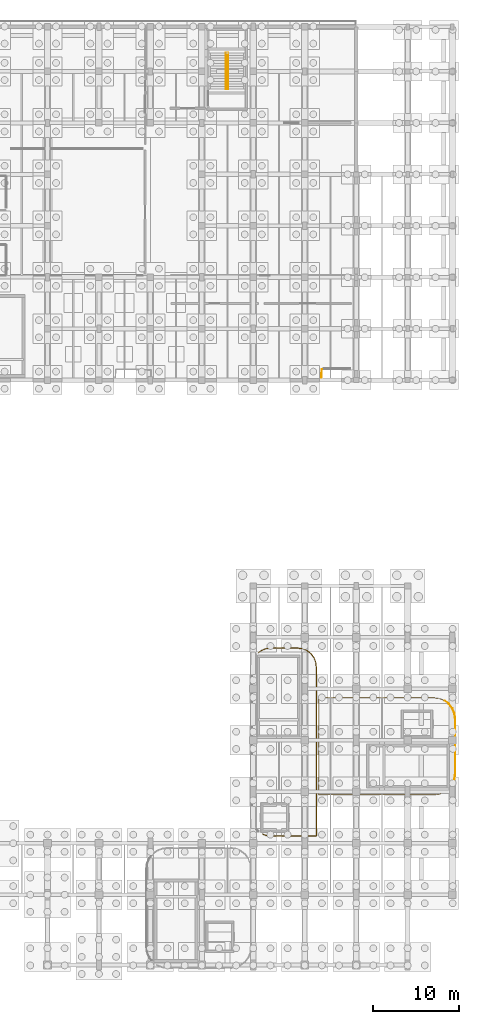
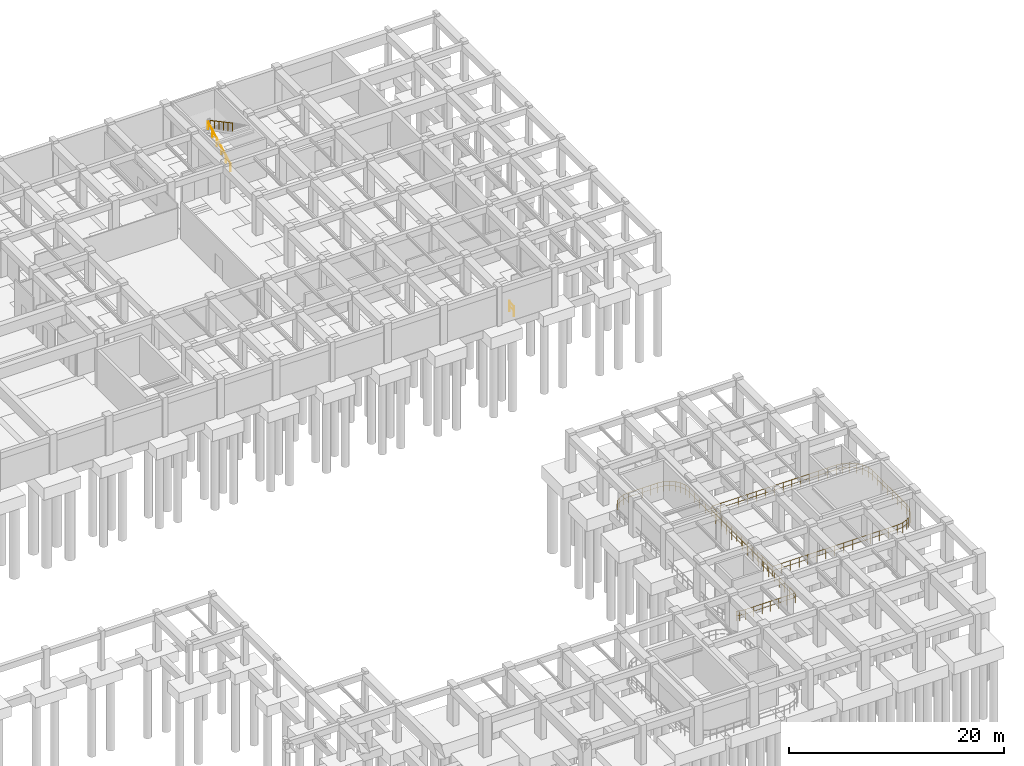
# One storey, part 30 of 32: 6 railings.
"""IFC4 building model written with IfcOpenShell, lengths in metres."""

from ifc_helpers import new_model, si_unit, direction, frame, origin, origin_2d, place, context, subcontext, project, spatial, circle, extrude, material, type_object, element, save


model = new_model("IFC4")

# Units and contexts
model_context = context("Model", 3, precision=1e-05, world=origin(), true_north=direction((0.0, 1.0)))
body_context = subcontext(model_context, "Body", "Model", "MODEL_VIEW")
ifc_project = project(units=[si_unit("LENGTHUNIT", "METRE"), si_unit("AREAUNIT", "SQUARE_METRE"), si_unit("VOLUMEUNIT", "CUBIC_METRE"), si_unit("PLANEANGLEUNIT", "RADIAN"), si_unit("MASSUNIT", "GRAM", prefix="KILO")], contexts=[model_context])

# Site, building, storey
site_placement = place(None, origin())
site = spatial("IfcSite", under=ifc_project, at=site_placement, CompositionType="ELEMENT")
building_placement = place(site_placement, origin())
building = spatial("IfcBuilding", under=site, at=building_placement, Name="Varnakota Square Police Headquarters", CompositionType="ELEMENT")
storey_placement = place(building_placement, frame((0.0, 0.0, -4.5)))
storey = spatial("IfcBuildingStorey", under=building, at=storey_placement, Name="B1", CompositionType="ELEMENT", Elevation=-4.5)

# Railings
ifc_material_1 = material(Name="Galvanised Powder-Coated Steel Guardrail", Category="steel")
railing_type_1 = type_object("IfcRailingType", Name="RL-BAL-1150", PredefinedType="BALUSTRADE", material=ifc_material_1)
railing_1_placement = place(storey_placement, frame((160.32470703125, 31.621337890625, 0.0)))
element("IfcRailing", 1, at=railing_1_placement, inside=storey, type_object=railing_type_1, Name="Perimeter edge safety guard GD-AUTO-B1-001", PredefinedType="BALUSTRADE", context=body_context, shape_type="SweptSolid", body=[
    extrude(circle(Radius=0.02392578125, at=origin_2d()), frame((0.0, 0.0, 1.1259765625), z_axis=(0.793446547056, -0.60863994033, 0.0), x_axis=(0.60863994033, 0.793446547056, 0.0)), (0.0, 0.0, 1.0), 0.639404296875),
    extrude(circle(Radius=0.01806640625, at=origin_2d()), frame((0.0, 0.0, 0.63232421875), z_axis=(0.793446547056, -0.60863994033, 0.0), x_axis=(0.60863994033, 0.793446547056, 0.0)), (0.0, 0.0, 1.0), 0.639404296875),
    extrude(circle(Radius=0.02392578125, at=origin_2d()), frame((0.50732421875, -0.38916015625, 1.1259765625), z_axis=(0.608880241612, -0.793262158038, 0.0), x_axis=(0.793262158038, 0.608880241612, 0.0)), (0.0, 0.0, 1.0), 0.6396484375),
    extrude(circle(Radius=0.01806640625, at=origin_2d()), frame((0.50732421875, -0.38916015625, 0.63232421875), z_axis=(0.608880241612, -0.793262158038, 0.0), x_axis=(0.793262158038, 0.608880241612, 0.0)), (0.0, 0.0, 1.0), 0.6396484375),
    extrude(circle(Radius=0.02392578125, at=origin_2d()), frame((0.896728515625, -0.896484375, 1.1259765625), z_axis=(0.382419211126, -0.923988932272, 0.0), x_axis=(0.923988932272, 0.382419211126, 0.0)), (0.0, 0.0, 1.0), 0.6396484375),
    extrude(circle(Radius=0.01806640625, at=origin_2d()), frame((0.896728515625, -0.896484375, 0.63232421875), z_axis=(0.382419211126, -0.923988932272, 0.0), x_axis=(0.923988932272, 0.382419211126, 0.0)), (0.0, 0.0, 1.0), 0.6396484375),
    extrude(circle(Radius=0.02392578125, at=origin_2d()), frame((1.141357421875, -1.487548828125, 1.1259765625), z_axis=(0.130670683841, -0.991425827979, 0.0), x_axis=(0.991425827979, 0.130670683841, 0.0)), (0.0, 0.0, 1.0), 0.642822265625),
    extrude(circle(Radius=0.01806640625, at=origin_2d()), frame((1.141357421875, -1.487548828125, 0.63232421875), z_axis=(0.130670683841, -0.991425827979, 0.0), x_axis=(0.991425827979, 0.130670683841, 0.0)), (0.0, 0.0, 1.0), 0.642822265625),
    extrude(circle(Radius=0.02392578125, at=origin_2d()), frame((1.225341796875, -2.124755859375, 1.1259765625), z_axis=(0.0, -1.0, 0.0), x_axis=(1.0, 0.0, 0.0)), (0.0, 0.0, 1.0), 6.393310546875),
    extrude(circle(Radius=0.01806640625, at=origin_2d()), frame((1.225341796875, -2.124755859375, 0.63232421875), z_axis=(0.0, -1.0, 0.0), x_axis=(1.0, 0.0, 0.0)), (0.0, 0.0, 1.0), 6.393310546875),
    extrude(circle(Radius=0.02392578125, at=origin_2d()), frame((1.225341796875, -8.51806640625, 1.1259765625), z_axis=(-0.130670683841, -0.991425827979, 0.0), x_axis=(0.991425827979, -0.130670683841, 0.0)), (0.0, 0.0, 1.0), 0.642822265625),
    extrude(circle(Radius=0.01806640625, at=origin_2d()), frame((1.225341796875, -8.51806640625, 0.63232421875), z_axis=(-0.130670683841, -0.991425827979, 0.0), x_axis=(0.991425827979, -0.130670683841, 0.0)), (0.0, 0.0, 1.0), 0.642822265625),
    extrude(circle(Radius=0.02392578125, at=origin_2d()), frame((1.141357421875, -9.1552734375, 1.1259765625), z_axis=(-0.422378164684, -0.906419707419, 0.0), x_axis=(0.906419707419, -0.422378164684, 0.0)), (0.0, 0.0, 1.0), 0.76416015625),
    extrude(circle(Radius=0.01806640625, at=origin_2d()), frame((1.141357421875, -9.1552734375, 0.63232421875), z_axis=(-0.422378164684, -0.906419707419, 0.0), x_axis=(0.906419707419, -0.422378164684, 0.0)), (0.0, 0.0, 1.0), 0.76416015625),
    extrude(circle(Radius=0.02099609375, at=origin_2d()), origin(), (0.0, 0.0, 1.0), 1.101806640625),
    extrude(circle(Radius=0.02099609375, at=origin_2d()), frame((0.50732421875, -0.38916015625, 0.0)), (0.0, 0.0, 1.0), 1.101806640625),
    extrude(circle(Radius=0.02099609375, at=origin_2d()), frame((0.896728515625, -0.896484375, 0.0)), (0.0, 0.0, 1.0), 1.101806640625),
    extrude(circle(Radius=0.02099609375, at=origin_2d()), frame((1.141357421875, -1.487548828125, 0.0)), (0.0, 0.0, 1.0), 1.101806640625),
    extrude(circle(Radius=0.02099609375, at=origin_2d()), frame((1.225341796875, -2.124755859375, 0.0)), (0.0, 0.0, 1.0), 1.101806640625),
    extrude(circle(Radius=0.02099609375, at=origin_2d()), frame((1.225341796875, -3.0380859375, 0.0)), (0.0, 0.0, 1.0), 1.101806640625),
    extrude(circle(Radius=0.02099609375, at=origin_2d()), frame((1.225341796875, -3.951416015625, 0.0)), (0.0, 0.0, 1.0), 1.101806640625),
    extrude(circle(Radius=0.02099609375, at=origin_2d()), frame((1.225341796875, -4.86474609375, 0.0)), (0.0, 0.0, 1.0), 1.101806640625),
    extrude(circle(Radius=0.02099609375, at=origin_2d()), frame((1.225341796875, -5.778076171875, 0.0)), (0.0, 0.0, 1.0), 1.101806640625),
    extrude(circle(Radius=0.02099609375, at=origin_2d()), frame((1.225341796875, -6.69140625, 0.0)), (0.0, 0.0, 1.0), 1.101806640625),
    extrude(circle(Radius=0.02099609375, at=origin_2d()), frame((1.225341796875, -7.604736328125, 0.0)), (0.0, 0.0, 1.0), 1.101806640625),
    extrude(circle(Radius=0.02099609375, at=origin_2d()), frame((1.225341796875, -8.51806640625, 0.0)), (0.0, 0.0, 1.0), 1.101806640625),
    extrude(circle(Radius=0.02099609375, at=origin_2d()), frame((1.141357421875, -9.1552734375, 0.0)), (0.0, 0.0, 1.0), 1.101806640625),
    extrude(circle(Radius=0.02099609375, at=origin_2d()), frame((0.818603515625, -9.847900390625, 0.0)), (0.0, 0.0, 1.0), 1.101806640625),
])
railing_2_placement = place(storey_placement, frame((160.601318359375, 21.190673828125, 0.0)))
element("IfcRailing", 2, at=railing_2_placement, inside=storey, type_object=railing_type_1, Name="Perimeter edge safety guard GD-AUTO-B1-002", PredefinedType="BALUSTRADE", context=body_context, shape_type="SweptSolid", body=[
    extrude(circle(Radius=0.02392578125, at=origin_2d()), frame((0.0, 0.0, 1.1259765625), z_axis=(-0.793482352244, -0.608593260459, 0.0), x_axis=(0.608593260459, -0.793482352244, 0.0)), (0.0, 0.0, 1.0), 0.3486328125),
    extrude(circle(Radius=0.01806640625, at=origin_2d()), frame((0.0, 0.0, 0.63232421875), z_axis=(-0.793482352244, -0.608593260459, 0.0), x_axis=(0.608593260459, -0.793482352244, 0.0)), (0.0, 0.0, 1.0), 0.3486328125),
    extrude(circle(Radius=0.02392578125, at=origin_2d()), frame((-0.276611328125, -0.212158203125, 1.1259765625), z_axis=(-0.923933087676, -0.382554113162, 0.0), x_axis=(0.382554113162, -0.923933087676, 0.0)), (0.0, 0.0, 1.0), 0.639404296875),
    extrude(circle(Radius=0.01806640625, at=origin_2d()), frame((-0.276611328125, -0.212158203125, 0.63232421875), z_axis=(-0.923933087676, -0.382554113162, 0.0), x_axis=(0.382554113162, -0.923933087676, 0.0)), (0.0, 0.0, 1.0), 0.639404296875),
    extrude(circle(Radius=0.02392578125, at=origin_2d()), frame((-0.867431640625, -0.456787109375, 1.1259765625), z_axis=(-0.991425827979, -0.130670683841, 0.0), x_axis=(0.130670683841, -0.991425827979, 0.0)), (0.0, 0.0, 1.0), 0.642822265625),
    extrude(circle(Radius=0.01806640625, at=origin_2d()), frame((-0.867431640625, -0.456787109375, 0.63232421875), z_axis=(-0.991425827979, -0.130670683841, 0.0), x_axis=(0.130670683841, -0.991425827979, 0.0)), (0.0, 0.0, 1.0), 0.642822265625),
    extrude(circle(Radius=0.02392578125, at=origin_2d()), frame((-1.504638671875, -0.540771484375, 1.1259765625), z_axis=(-1.0, 0.0, 0.0), x_axis=(0.0, -1.0, 0.0)), (0.0, 0.0, 1.0), 13.44677734375),
    extrude(circle(Radius=0.01806640625, at=origin_2d()), frame((-1.504638671875, -0.540771484375, 0.63232421875), z_axis=(-1.0, 0.0, 0.0), x_axis=(0.0, -1.0, 0.0)), (0.0, 0.0, 1.0), 13.44677734375),
    extrude(circle(Radius=0.02392578125, at=origin_2d()), frame((-14.951416015625, -0.540771484375, 1.1259765625), z_axis=(0.0, 1.0, 0.0), x_axis=(-1.0, 0.0, 0.0)), (0.0, 0.0, 1.0), 11.300048828125),
    extrude(circle(Radius=0.01806640625, at=origin_2d()), frame((-14.951416015625, -0.540771484375, 0.63232421875), z_axis=(0.0, 1.0, 0.0), x_axis=(-1.0, 0.0, 0.0)), (0.0, 0.0, 1.0), 11.300048828125),
    extrude(circle(Radius=0.02392578125, at=origin_2d()), frame((-14.951416015625, 10.75927734375, 1.1259765625), z_axis=(1.0, 0.0, 0.0), x_axis=(0.0, 1.0, 0.0)), (0.0, 0.0, 1.0), 13.44677734375),
    extrude(circle(Radius=0.01806640625, at=origin_2d()), frame((-14.951416015625, 10.75927734375, 0.63232421875), z_axis=(1.0, 0.0, 0.0), x_axis=(0.0, 1.0, 0.0)), (0.0, 0.0, 1.0), 13.44677734375),
    extrude(circle(Radius=0.02392578125, at=origin_2d()), frame((-1.504638671875, 10.75927734375, 1.1259765625), z_axis=(0.991474970644, -0.130297285414, 0.0), x_axis=(0.130297285414, 0.991474970644, 0.0)), (0.0, 0.0, 1.0), 0.642578125),
    extrude(circle(Radius=0.01806640625, at=origin_2d()), frame((-1.504638671875, 10.75927734375, 0.63232421875), z_axis=(0.991474970644, -0.130297285414, 0.0), x_axis=(0.130297285414, 0.991474970644, 0.0)), (0.0, 0.0, 1.0), 0.642578125),
    extrude(circle(Radius=0.02392578125, at=origin_2d()), frame((-0.867431640625, 10.675537109375, 1.1259765625), z_axis=(0.92379810438, -0.382879958138, 0.0), x_axis=(0.382879958138, 0.92379810438, 0.0)), (0.0, 0.0, 1.0), 0.6396484375),
    extrude(circle(Radius=0.01806640625, at=origin_2d()), frame((-0.867431640625, 10.675537109375, 0.63232421875), z_axis=(0.92379810438, -0.382879958138, 0.0), x_axis=(0.382879958138, 0.92379810438, 0.0)), (0.0, 0.0, 1.0), 0.6396484375),
    extrude(circle(Radius=0.02099609375, at=origin_2d()), origin(), (0.0, 0.0, 1.0), 1.101806640625),
    extrude(circle(Radius=0.02099609375, at=origin_2d()), frame((-0.276611328125, -0.212158203125, 0.0)), (0.0, 0.0, 1.0), 1.101806640625),
    extrude(circle(Radius=0.02099609375, at=origin_2d()), frame((-0.867431640625, -0.456787109375, 0.0)), (0.0, 0.0, 1.0), 1.101806640625),
    extrude(circle(Radius=0.02099609375, at=origin_2d()), frame((-1.504638671875, -0.540771484375, 0.0)), (0.0, 0.0, 1.0), 1.101806640625),
    extrude(circle(Radius=0.02099609375, at=origin_2d()), frame((-2.465087890625, -0.540771484375, 0.0)), (0.0, 0.0, 1.0), 1.101806640625),
    extrude(circle(Radius=0.02099609375, at=origin_2d()), frame((-3.425537109375, -0.540771484375, 0.0)), (0.0, 0.0, 1.0), 1.101806640625),
    extrude(circle(Radius=0.02099609375, at=origin_2d()), frame((-4.385986328125, -0.540771484375, 0.0)), (0.0, 0.0, 1.0), 1.101806640625),
    extrude(circle(Radius=0.02099609375, at=origin_2d()), frame((-5.3466796875, -0.540771484375, 0.0)), (0.0, 0.0, 1.0), 1.101806640625),
    extrude(circle(Radius=0.02099609375, at=origin_2d()), frame((-6.30712890625, -0.540771484375, 0.0)), (0.0, 0.0, 1.0), 1.101806640625),
    extrude(circle(Radius=0.02099609375, at=origin_2d()), frame((-7.267578125, -0.540771484375, 0.0)), (0.0, 0.0, 1.0), 1.101806640625),
    extrude(circle(Radius=0.02099609375, at=origin_2d()), frame((-8.22802734375, -0.540771484375, 0.0)), (0.0, 0.0, 1.0), 1.101806640625),
    extrude(circle(Radius=0.02099609375, at=origin_2d()), frame((-9.1884765625, -0.540771484375, 0.0)), (0.0, 0.0, 1.0), 1.101806640625),
    extrude(circle(Radius=0.02099609375, at=origin_2d()), frame((-10.14892578125, -0.540771484375, 0.0)), (0.0, 0.0, 1.0), 1.101806640625),
    extrude(circle(Radius=0.02099609375, at=origin_2d()), frame((-11.109375, -0.540771484375, 0.0)), (0.0, 0.0, 1.0), 1.101806640625),
    extrude(circle(Radius=0.02099609375, at=origin_2d()), frame((-12.070068359375, -0.540771484375, 0.0)), (0.0, 0.0, 1.0), 1.101806640625),
    extrude(circle(Radius=0.02099609375, at=origin_2d()), frame((-13.030517578125, -0.540771484375, 0.0)), (0.0, 0.0, 1.0), 1.101806640625),
    extrude(circle(Radius=0.02099609375, at=origin_2d()), frame((-13.990966796875, -0.540771484375, 0.0)), (0.0, 0.0, 1.0), 1.101806640625),
    extrude(circle(Radius=0.02099609375, at=origin_2d()), frame((-14.951416015625, -0.540771484375, 0.0)), (0.0, 0.0, 1.0), 1.101806640625),
    extrude(circle(Radius=0.02099609375, at=origin_2d()), frame((-14.951416015625, 0.40087890625, 0.0)), (0.0, 0.0, 1.0), 1.101806640625),
    extrude(circle(Radius=0.02099609375, at=origin_2d()), frame((-14.951416015625, 1.342529296875, 0.0)), (0.0, 0.0, 1.0), 1.101806640625),
    extrude(circle(Radius=0.02099609375, at=origin_2d()), frame((-14.951416015625, 2.2841796875, 0.0)), (0.0, 0.0, 1.0), 1.101806640625),
    extrude(circle(Radius=0.02099609375, at=origin_2d()), frame((-14.951416015625, 3.225830078125, 0.0)), (0.0, 0.0, 1.0), 1.101806640625),
    extrude(circle(Radius=0.02099609375, at=origin_2d()), frame((-14.951416015625, 4.16748046875, 0.0)), (0.0, 0.0, 1.0), 1.101806640625),
    extrude(circle(Radius=0.02099609375, at=origin_2d()), frame((-14.951416015625, 5.109375, 0.0)), (0.0, 0.0, 1.0), 1.101806640625),
    extrude(circle(Radius=0.02099609375, at=origin_2d()), frame((-14.951416015625, 6.051025390625, 0.0)), (0.0, 0.0, 1.0), 1.101806640625),
    extrude(circle(Radius=0.02099609375, at=origin_2d()), frame((-14.951416015625, 6.99267578125, 0.0)), (0.0, 0.0, 1.0), 1.101806640625),
    extrude(circle(Radius=0.02099609375, at=origin_2d()), frame((-14.951416015625, 7.934326171875, 0.0)), (0.0, 0.0, 1.0), 1.101806640625),
    extrude(circle(Radius=0.02099609375, at=origin_2d()), frame((-14.951416015625, 8.8759765625, 0.0)), (0.0, 0.0, 1.0), 1.101806640625),
    extrude(circle(Radius=0.02099609375, at=origin_2d()), frame((-14.951416015625, 9.817626953125, 0.0)), (0.0, 0.0, 1.0), 1.101806640625),
    extrude(circle(Radius=0.02099609375, at=origin_2d()), frame((-14.951416015625, 10.75927734375, 0.0)), (0.0, 0.0, 1.0), 1.101806640625),
    extrude(circle(Radius=0.02099609375, at=origin_2d()), frame((-13.990966796875, 10.75927734375, 0.0)), (0.0, 0.0, 1.0), 1.101806640625),
    extrude(circle(Radius=0.02099609375, at=origin_2d()), frame((-13.030517578125, 10.75927734375, 0.0)), (0.0, 0.0, 1.0), 1.101806640625),
    extrude(circle(Radius=0.02099609375, at=origin_2d()), frame((-12.070068359375, 10.75927734375, 0.0)), (0.0, 0.0, 1.0), 1.101806640625),
    extrude(circle(Radius=0.02099609375, at=origin_2d()), frame((-11.109375, 10.75927734375, 0.0)), (0.0, 0.0, 1.0), 1.101806640625),
    extrude(circle(Radius=0.02099609375, at=origin_2d()), frame((-10.14892578125, 10.75927734375, 0.0)), (0.0, 0.0, 1.0), 1.101806640625),
    extrude(circle(Radius=0.02099609375, at=origin_2d()), frame((-9.1884765625, 10.75927734375, 0.0)), (0.0, 0.0, 1.0), 1.101806640625),
    extrude(circle(Radius=0.02099609375, at=origin_2d()), frame((-8.22802734375, 10.75927734375, 0.0)), (0.0, 0.0, 1.0), 1.101806640625),
    extrude(circle(Radius=0.02099609375, at=origin_2d()), frame((-7.267578125, 10.75927734375, 0.0)), (0.0, 0.0, 1.0), 1.101806640625),
    extrude(circle(Radius=0.02099609375, at=origin_2d()), frame((-6.30712890625, 10.75927734375, 0.0)), (0.0, 0.0, 1.0), 1.101806640625),
    extrude(circle(Radius=0.02099609375, at=origin_2d()), frame((-5.3466796875, 10.75927734375, 0.0)), (0.0, 0.0, 1.0), 1.101806640625),
    extrude(circle(Radius=0.02099609375, at=origin_2d()), frame((-4.385986328125, 10.75927734375, 0.0)), (0.0, 0.0, 1.0), 1.101806640625),
    extrude(circle(Radius=0.02099609375, at=origin_2d()), frame((-3.425537109375, 10.75927734375, 0.0)), (0.0, 0.0, 1.0), 1.101806640625),
    extrude(circle(Radius=0.02099609375, at=origin_2d()), frame((-2.465087890625, 10.75927734375, 0.0)), (0.0, 0.0, 1.0), 1.101806640625),
    extrude(circle(Radius=0.02099609375, at=origin_2d()), frame((-1.504638671875, 10.75927734375, 0.0)), (0.0, 0.0, 1.0), 1.101806640625),
    extrude(circle(Radius=0.02099609375, at=origin_2d()), frame((-0.867431640625, 10.675537109375, 0.0)), (0.0, 0.0, 1.0), 1.101806640625),
    extrude(circle(Radius=0.02099609375, at=origin_2d()), frame((-0.276611328125, 10.4306640625, 0.0)), (0.0, 0.0, 1.0), 1.101806640625),
])
railing_3_placement = place(storey_placement, frame((145.994384765625, 70.249755859375, 0.0)))
element("IfcRailing", 3, at=railing_3_placement, inside=storey, type_object=railing_type_1, Name="Perimeter edge safety guard GD-AUTO-B1-004", PredefinedType="BALUSTRADE", context=body_context, shape_type="SweptSolid", body=[
    extrude(circle(Radius=0.02392578125, at=origin_2d()), frame((0.0, 0.0, 1.1259765625), z_axis=(-0.048258017619, -0.998834903142, 0.0), x_axis=(0.998834903142, -0.048258017619, 0.0)), (0.0, 0.0, 1.0), 0.920654296875),
    extrude(circle(Radius=0.01806640625, at=origin_2d()), frame((0.0, 0.0, 0.63232421875), z_axis=(-0.048258017619, -0.998834903142, 0.0), x_axis=(0.998834903142, -0.048258017619, 0.0)), (0.0, 0.0, 1.0), 0.920654296875),
    extrude(circle(Radius=0.02099609375, at=origin_2d()), origin(), (0.0, 0.0, 1.0), 1.101806640625),
    extrude(circle(Radius=0.02099609375, at=origin_2d()), frame((-0.04443359375, -0.919677734375, 0.0)), (0.0, 0.0, 1.0), 1.101806640625),
])
railing_4_placement = place(storey_placement, frame((138.59716796875, 37.2099609375, 0.0)))
element("IfcRailing", 4, at=railing_4_placement, inside=storey, type_object=railing_type_1, Name="Perimeter edge safety guard GD-AUTO-B1-013", PredefinedType="BALUSTRADE", context=body_context, shape_type="SweptSolid", body=[
    extrude(circle(Radius=0.02392578125, at=origin_2d()), frame((0.0, 0.0, 1.1259765625), z_axis=(0.793435296761, 0.608654606369, 0.0), x_axis=(-0.608654606369, 0.793435296761, 0.0)), (0.0, 0.0, 1.0), 0.41357421875),
    extrude(circle(Radius=0.01806640625, at=origin_2d()), frame((0.0, 0.0, 0.63232421875), z_axis=(0.793435296761, 0.608654606369, 0.0), x_axis=(-0.608654606369, 0.793435296761, 0.0)), (0.0, 0.0, 1.0), 0.41357421875),
    extrude(circle(Radius=0.02392578125, at=origin_2d()), frame((0.328125, 0.251708984375, 1.1259765625), z_axis=(0.923937282838, 0.382543980977, 0.0), x_axis=(-0.382543980977, 0.923937282838, 0.0)), (0.0, 0.0, 1.0), 0.56103515625),
    extrude(circle(Radius=0.01806640625, at=origin_2d()), frame((0.328125, 0.251708984375, 0.63232421875), z_axis=(0.923937282838, 0.382543980977, 0.0), x_axis=(-0.382543980977, 0.923937282838, 0.0)), (0.0, 0.0, 1.0), 0.56103515625),
    extrude(circle(Radius=0.02392578125, at=origin_2d()), frame((0.846435546875, 0.46630859375, 1.1259765625), z_axis=(0.991438099564, 0.130577542987, 0.0), x_axis=(-0.130577542987, 0.991438099564, 0.0)), (0.0, 0.0, 1.0), 0.564697265625),
    extrude(circle(Radius=0.01806640625, at=origin_2d()), frame((0.846435546875, 0.46630859375, 0.63232421875), z_axis=(0.991438099564, 0.130577542987, 0.0), x_axis=(-0.130577542987, 0.991438099564, 0.0)), (0.0, 0.0, 1.0), 0.564697265625),
    extrude(circle(Radius=0.02392578125, at=origin_2d()), frame((1.40625, 0.5400390625, 1.1259765625), z_axis=(1.0, 0.0, 0.0), x_axis=(0.0, 1.0, 0.0)), (0.0, 0.0, 1.0), 3.193359375),
    extrude(circle(Radius=0.01806640625, at=origin_2d()), frame((1.40625, 0.5400390625, 0.63232421875), z_axis=(1.0, 0.0, 0.0), x_axis=(0.0, 1.0, 0.0)), (0.0, 0.0, 1.0), 3.193359375),
    extrude(circle(Radius=0.02392578125, at=origin_2d()), frame((4.599609375, 0.5400390625, 1.1259765625), z_axis=(0.991430722597, -0.130633541983, 0.0), x_axis=(0.130633541983, 0.991430722597, 0.0)), (0.0, 0.0, 1.0), 0.564453125),
    extrude(circle(Radius=0.01806640625, at=origin_2d()), frame((4.599609375, 0.5400390625, 0.63232421875), z_axis=(0.991430722597, -0.130633541983, 0.0), x_axis=(0.130633541983, 0.991430722597, 0.0)), (0.0, 0.0, 1.0), 0.564453125),
    extrude(circle(Radius=0.02392578125, at=origin_2d()), frame((5.1591796875, 0.46630859375, 1.1259765625), z_axis=(0.924000932097, -0.382390216249, 0.0), x_axis=(0.382390216249, 0.924000932097, 0.0)), (0.0, 0.0, 1.0), 0.561279296875),
    extrude(circle(Radius=0.01806640625, at=origin_2d()), frame((5.1591796875, 0.46630859375, 0.63232421875), z_axis=(0.924000932097, -0.382390216249, 0.0), x_axis=(0.382390216249, 0.924000932097, 0.0)), (0.0, 0.0, 1.0), 0.561279296875),
    extrude(circle(Radius=0.02392578125, at=origin_2d()), frame((5.677734375, 0.251708984375, 1.1259765625), z_axis=(0.793108931829, -0.609079815996, 0.0), x_axis=(0.609079815996, 0.793108931829, 0.0)), (0.0, 0.0, 1.0), 0.561279296875),
    extrude(circle(Radius=0.01806640625, at=origin_2d()), frame((5.677734375, 0.251708984375, 0.63232421875), z_axis=(0.793108931829, -0.609079815996, 0.0), x_axis=(0.609079815996, 0.793108931829, 0.0)), (0.0, 0.0, 1.0), 0.561279296875),
    extrude(circle(Radius=0.02392578125, at=origin_2d()), frame((6.122802734375, -0.090087890625, 1.1259765625), z_axis=(0.608806046865, -0.793319101812, 0.0), x_axis=(0.793319101812, 0.608806046865, 0.0)), (0.0, 0.0, 1.0), 0.56103515625),
    extrude(circle(Radius=0.01806640625, at=origin_2d()), frame((6.122802734375, -0.090087890625, 0.63232421875), z_axis=(0.608806046865, -0.793319101812, 0.0), x_axis=(0.793319101812, 0.608806046865, 0.0)), (0.0, 0.0, 1.0), 0.56103515625),
    extrude(circle(Radius=0.02392578125, at=origin_2d()), frame((6.46435546875, -0.53515625, 1.1259765625), z_axis=(0.382761541363, -0.923847174836, 0.0), x_axis=(0.923847174836, 0.382761541363, 0.0)), (0.0, 0.0, 1.0), 0.561279296875),
    extrude(circle(Radius=0.01806640625, at=origin_2d()), frame((6.46435546875, -0.53515625, 0.63232421875), z_axis=(0.382761541363, -0.923847174836, 0.0), x_axis=(0.923847174836, 0.382761541363, 0.0)), (0.0, 0.0, 1.0), 0.561279296875),
    extrude(circle(Radius=0.02392578125, at=origin_2d()), frame((6.67919921875, -1.0537109375, 1.1259765625), z_axis=(0.130633541983, -0.991430722597, 0.0), x_axis=(0.991430722597, 0.130633541983, 0.0)), (0.0, 0.0, 1.0), 0.564453125),
    extrude(circle(Radius=0.01806640625, at=origin_2d()), frame((6.67919921875, -1.0537109375, 0.63232421875), z_axis=(0.130633541983, -0.991430722597, 0.0), x_axis=(0.991430722597, 0.130633541983, 0.0)), (0.0, 0.0, 1.0), 0.564453125),
    extrude(circle(Radius=0.02392578125, at=origin_2d()), frame((6.7529296875, -1.61328125, 1.1259765625), z_axis=(0.0, -1.0, 0.0), x_axis=(1.0, 0.0, 0.0)), (0.0, 0.0, 1.0), 19.74658203125),
    extrude(circle(Radius=0.01806640625, at=origin_2d()), frame((6.7529296875, -1.61328125, 0.63232421875), z_axis=(0.0, -1.0, 0.0), x_axis=(1.0, 0.0, 0.0)), (0.0, 0.0, 1.0), 19.74658203125),
    extrude(circle(Radius=0.02392578125, at=origin_2d()), frame((6.7529296875, -21.35986328125, 1.1259765625), z_axis=(-1.0, 0.0, 0.0), x_axis=(0.0, -1.0, 0.0)), (0.0, 0.0, 1.0), 5.3466796875),
    extrude(circle(Radius=0.01806640625, at=origin_2d()), frame((6.7529296875, -21.35986328125, 0.63232421875), z_axis=(-1.0, 0.0, 0.0), x_axis=(0.0, -1.0, 0.0)), (0.0, 0.0, 1.0), 5.3466796875),
    extrude(circle(Radius=0.02392578125, at=origin_2d()), frame((1.40625, -21.35986328125, 1.1259765625), z_axis=(-0.991493986814, 0.130152503284, 0.0), x_axis=(-0.130152503284, -0.991493986814, 0.0)), (0.0, 0.0, 1.0), 0.564697265625),
    extrude(circle(Radius=0.01806640625, at=origin_2d()), frame((1.40625, -21.35986328125, 0.63232421875), z_axis=(-0.991493986814, 0.130152503284, 0.0), x_axis=(-0.130152503284, -0.991493986814, 0.0)), (0.0, 0.0, 1.0), 0.564697265625),
    extrude(circle(Radius=0.02392578125, at=origin_2d()), frame((0.846435546875, -21.286376953125, 1.1259765625), z_axis=(-0.923638725043, 0.383264276448, 0.0), x_axis=(-0.383264276448, -0.923638725043, 0.0)), (0.0, 0.0, 1.0), 0.346435546875),
    extrude(circle(Radius=0.01806640625, at=origin_2d()), frame((0.846435546875, -21.286376953125, 0.63232421875), z_axis=(-0.923638725043, 0.383264276448, 0.0), x_axis=(-0.383264276448, -0.923638725043, 0.0)), (0.0, 0.0, 1.0), 0.346435546875),
    extrude(circle(Radius=0.02099609375, at=origin_2d()), origin(), (0.0, 0.0, 1.0), 1.101806640625),
    extrude(circle(Radius=0.02099609375, at=origin_2d()), frame((0.328125, 0.251708984375, 0.0)), (0.0, 0.0, 1.0), 1.101806640625),
    extrude(circle(Radius=0.02099609375, at=origin_2d()), frame((0.846435546875, 0.46630859375, 0.0)), (0.0, 0.0, 1.0), 1.101806640625),
    extrude(circle(Radius=0.02099609375, at=origin_2d()), frame((1.40625, 0.5400390625, 0.0)), (0.0, 0.0, 1.0), 1.101806640625),
    extrude(circle(Radius=0.02099609375, at=origin_2d()), frame((2.20458984375, 0.5400390625, 0.0)), (0.0, 0.0, 1.0), 1.101806640625),
    extrude(circle(Radius=0.02099609375, at=origin_2d()), frame((3.0029296875, 0.5400390625, 0.0)), (0.0, 0.0, 1.0), 1.101806640625),
    extrude(circle(Radius=0.02099609375, at=origin_2d()), frame((3.80126953125, 0.5400390625, 0.0)), (0.0, 0.0, 1.0), 1.101806640625),
    extrude(circle(Radius=0.02099609375, at=origin_2d()), frame((4.599609375, 0.5400390625, 0.0)), (0.0, 0.0, 1.0), 1.101806640625),
    extrude(circle(Radius=0.02099609375, at=origin_2d()), frame((5.1591796875, 0.46630859375, 0.0)), (0.0, 0.0, 1.0), 1.101806640625),
    extrude(circle(Radius=0.02099609375, at=origin_2d()), frame((5.677734375, 0.251708984375, 0.0)), (0.0, 0.0, 1.0), 1.101806640625),
    extrude(circle(Radius=0.02099609375, at=origin_2d()), frame((6.122802734375, -0.090087890625, 0.0)), (0.0, 0.0, 1.0), 1.101806640625),
    extrude(circle(Radius=0.02099609375, at=origin_2d()), frame((6.46435546875, -0.53515625, 0.0)), (0.0, 0.0, 1.0), 1.101806640625),
    extrude(circle(Radius=0.02099609375, at=origin_2d()), frame((6.67919921875, -1.0537109375, 0.0)), (0.0, 0.0, 1.0), 1.101806640625),
    extrude(circle(Radius=0.02099609375, at=origin_2d()), frame((6.7529296875, -1.61328125, 0.0)), (0.0, 0.0, 1.0), 1.101806640625),
    extrude(circle(Radius=0.02099609375, at=origin_2d()), frame((6.7529296875, -2.6005859375, 0.0)), (0.0, 0.0, 1.0), 1.101806640625),
    extrude(circle(Radius=0.02099609375, at=origin_2d()), frame((6.7529296875, -3.587890625, 0.0)), (0.0, 0.0, 1.0), 1.101806640625),
    extrude(circle(Radius=0.02099609375, at=origin_2d()), frame((6.7529296875, -4.5751953125, 0.0)), (0.0, 0.0, 1.0), 1.101806640625),
    extrude(circle(Radius=0.02099609375, at=origin_2d()), frame((6.7529296875, -5.5625, 0.0)), (0.0, 0.0, 1.0), 1.101806640625),
    extrude(circle(Radius=0.02099609375, at=origin_2d()), frame((6.7529296875, -6.5498046875, 0.0)), (0.0, 0.0, 1.0), 1.101806640625),
    extrude(circle(Radius=0.02099609375, at=origin_2d()), frame((6.7529296875, -7.537353515625, 0.0)), (0.0, 0.0, 1.0), 1.101806640625),
    extrude(circle(Radius=0.02099609375, at=origin_2d()), frame((6.7529296875, -8.524658203125, 0.0)), (0.0, 0.0, 1.0), 1.101806640625),
    extrude(circle(Radius=0.02099609375, at=origin_2d()), frame((6.7529296875, -9.511962890625, 0.0)), (0.0, 0.0, 1.0), 1.101806640625),
    extrude(circle(Radius=0.02099609375, at=origin_2d()), frame((6.7529296875, -10.499267578125, 0.0)), (0.0, 0.0, 1.0), 1.101806640625),
    extrude(circle(Radius=0.02099609375, at=origin_2d()), frame((6.7529296875, -11.486572265625, 0.0)), (0.0, 0.0, 1.0), 1.101806640625),
    extrude(circle(Radius=0.02099609375, at=origin_2d()), frame((6.7529296875, -12.473876953125, 0.0)), (0.0, 0.0, 1.0), 1.101806640625),
    extrude(circle(Radius=0.02099609375, at=origin_2d()), frame((6.7529296875, -13.461181640625, 0.0)), (0.0, 0.0, 1.0), 1.101806640625),
    extrude(circle(Radius=0.02099609375, at=origin_2d()), frame((6.7529296875, -14.448486328125, 0.0)), (0.0, 0.0, 1.0), 1.101806640625),
    extrude(circle(Radius=0.02099609375, at=origin_2d()), frame((6.7529296875, -15.435791015625, 0.0)), (0.0, 0.0, 1.0), 1.101806640625),
    extrude(circle(Radius=0.02099609375, at=origin_2d()), frame((6.7529296875, -16.42333984375, 0.0)), (0.0, 0.0, 1.0), 1.101806640625),
    extrude(circle(Radius=0.02099609375, at=origin_2d()), frame((6.7529296875, -17.41064453125, 0.0)), (0.0, 0.0, 1.0), 1.101806640625),
    extrude(circle(Radius=0.02099609375, at=origin_2d()), frame((6.7529296875, -18.39794921875, 0.0)), (0.0, 0.0, 1.0), 1.101806640625),
    extrude(circle(Radius=0.02099609375, at=origin_2d()), frame((6.7529296875, -19.38525390625, 0.0)), (0.0, 0.0, 1.0), 1.101806640625),
    extrude(circle(Radius=0.02099609375, at=origin_2d()), frame((6.7529296875, -20.37255859375, 0.0)), (0.0, 0.0, 1.0), 1.101806640625),
    extrude(circle(Radius=0.02099609375, at=origin_2d()), frame((6.7529296875, -21.35986328125, 0.0)), (0.0, 0.0, 1.0), 1.101806640625),
    extrude(circle(Radius=0.02099609375, at=origin_2d()), frame((5.86181640625, -21.35986328125, 0.0)), (0.0, 0.0, 1.0), 1.101806640625),
    extrude(circle(Radius=0.02099609375, at=origin_2d()), frame((4.970703125, -21.35986328125, 0.0)), (0.0, 0.0, 1.0), 1.101806640625),
    extrude(circle(Radius=0.02099609375, at=origin_2d()), frame((4.07958984375, -21.35986328125, 0.0)), (0.0, 0.0, 1.0), 1.101806640625),
    extrude(circle(Radius=0.02099609375, at=origin_2d()), frame((3.1884765625, -21.35986328125, 0.0)), (0.0, 0.0, 1.0), 1.101806640625),
    extrude(circle(Radius=0.02099609375, at=origin_2d()), frame((2.29736328125, -21.35986328125, 0.0)), (0.0, 0.0, 1.0), 1.101806640625),
    extrude(circle(Radius=0.02099609375, at=origin_2d()), frame((1.40625, -21.35986328125, 0.0)), (0.0, 0.0, 1.0), 1.101806640625),
    extrude(circle(Radius=0.02099609375, at=origin_2d()), frame((0.846435546875, -21.286376953125, 0.0)), (0.0, 0.0, 1.0), 1.101806640625),
    extrude(circle(Radius=0.02099609375, at=origin_2d()), frame((0.5263671875, -21.153564453125, 0.0)), (0.0, 0.0, 1.0), 1.101806640625),
])
ifc_material_2 = material(Name="Brushed Stainless Steel Tubular Handrail", Category="steel")
railing_type_2 = type_object("IfcRailingType", Name="RL-HND-920", PredefinedType="HANDRAIL", material=ifc_material_2)
railing_5_placement = place(storey_placement, frame((134.830078125, 102.949951171875, 0.0)))
element("IfcRailing", 5, at=railing_5_placement, inside=storey, type_object=railing_type_2, Name="Stair flight handrail HR-B1-083", PredefinedType="HANDRAIL", context=body_context, shape_type="SweptSolid", body=[
    extrude(circle(Radius=0.02392578125, at=origin_2d()), frame((0.0, 0.0, 0.89599609375), z_axis=(0.0, 0.881511956786, 0.472161699043), x_axis=(-1.0, 0.0, 0.0)), (0.0, 0.0, 1.0), 4.765380859375),
    extrude(circle(Radius=0.02099609375, at=origin_2d()), origin(), (0.0, 0.0, 1.0), 0.871826171875),
    extrude(circle(Radius=0.02099609375, at=origin_2d()), frame((0.0, 0.840087890625, 0.449951171875)), (0.0, 0.0, 1.0), 0.871826171875),
    extrude(circle(Radius=0.02099609375, at=origin_2d()), frame((0.0, 1.68017578125, 0.89990234375)), (0.0, 0.0, 1.0), 0.871826171875),
    extrude(circle(Radius=0.02099609375, at=origin_2d()), frame((0.0, 2.5205078125, 1.35009765625)), (0.0, 0.0, 1.0), 0.871826171875),
    extrude(circle(Radius=0.02099609375, at=origin_2d()), frame((0.0, 3.360595703125, 1.800048828125)), (0.0, 0.0, 1.0), 0.871826171875),
    extrude(circle(Radius=0.02099609375, at=origin_2d()), frame((0.0, 4.20068359375, 2.25)), (0.0, 0.0, 1.0), 0.871826171875),
])
railing_6_placement = place(storey_placement, frame((135.070068359375, 107.150634765625, 2.25)))
element("IfcRailing", 6, at=railing_6_placement, inside=storey, type_object=railing_type_2, Name="Stair flight handrail HR-B1-084", PredefinedType="HANDRAIL", context=body_context, shape_type="SweptSolid", body=[
    extrude(circle(Radius=0.02392578125, at=origin_2d()), frame((0.0, 0.0, 0.89599609375), z_axis=(0.0, -0.881511956786, 0.472161699043), x_axis=(1.0, 0.0, 0.0)), (0.0, 0.0, 1.0), 4.765380859375),
    extrude(circle(Radius=0.02099609375, at=origin_2d()), origin(), (0.0, 0.0, 1.0), 0.871826171875),
    extrude(circle(Radius=0.02099609375, at=origin_2d()), frame((0.0, -0.840087890625, 0.449951171875)), (0.0, 0.0, 1.0), 0.871826171875),
    extrude(circle(Radius=0.02099609375, at=origin_2d()), frame((0.0, -1.68017578125, 0.89990234375)), (0.0, 0.0, 1.0), 0.871826171875),
    extrude(circle(Radius=0.02099609375, at=origin_2d()), frame((0.0, -2.5205078125, 1.35009765625)), (0.0, 0.0, 1.0), 0.871826171875),
    extrude(circle(Radius=0.02099609375, at=origin_2d()), frame((0.0, -3.360595703125, 1.800048828125)), (0.0, 0.0, 1.0), 0.871826171875),
    extrude(circle(Radius=0.02099609375, at=origin_2d()), frame((0.0, -4.20068359375, 2.25)), (0.0, 0.0, 1.0), 0.871826171875),
])

save(model, "model.ifc")
